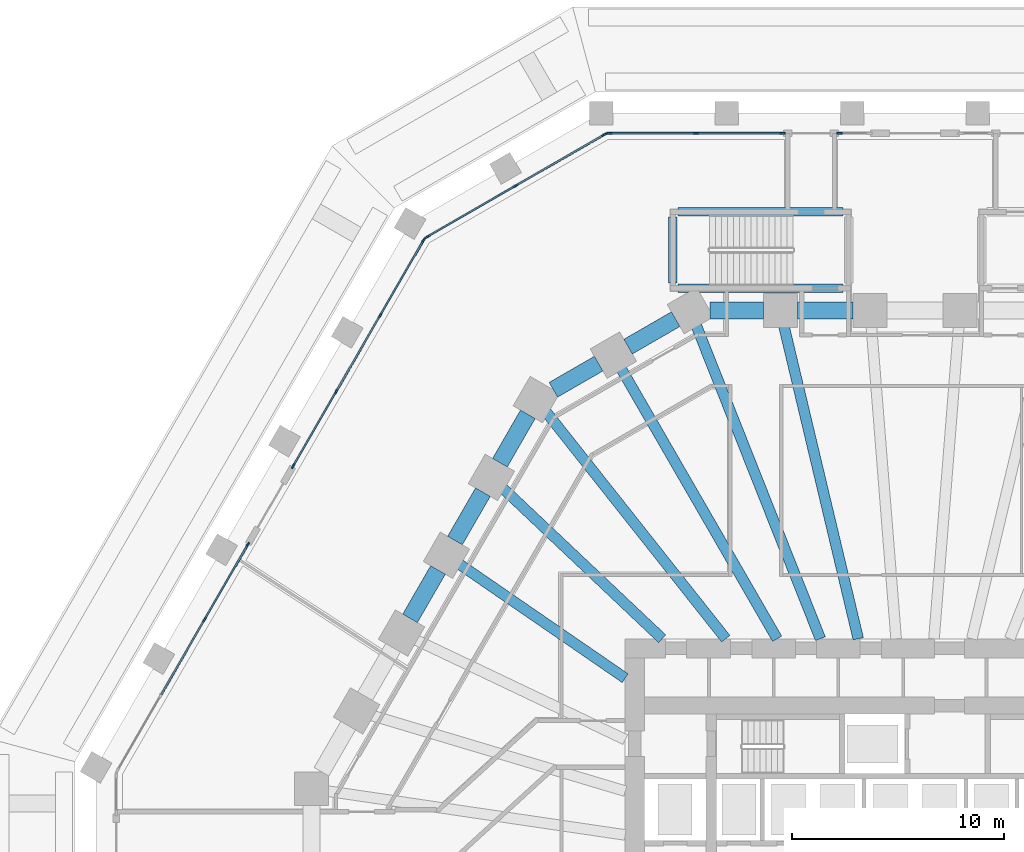
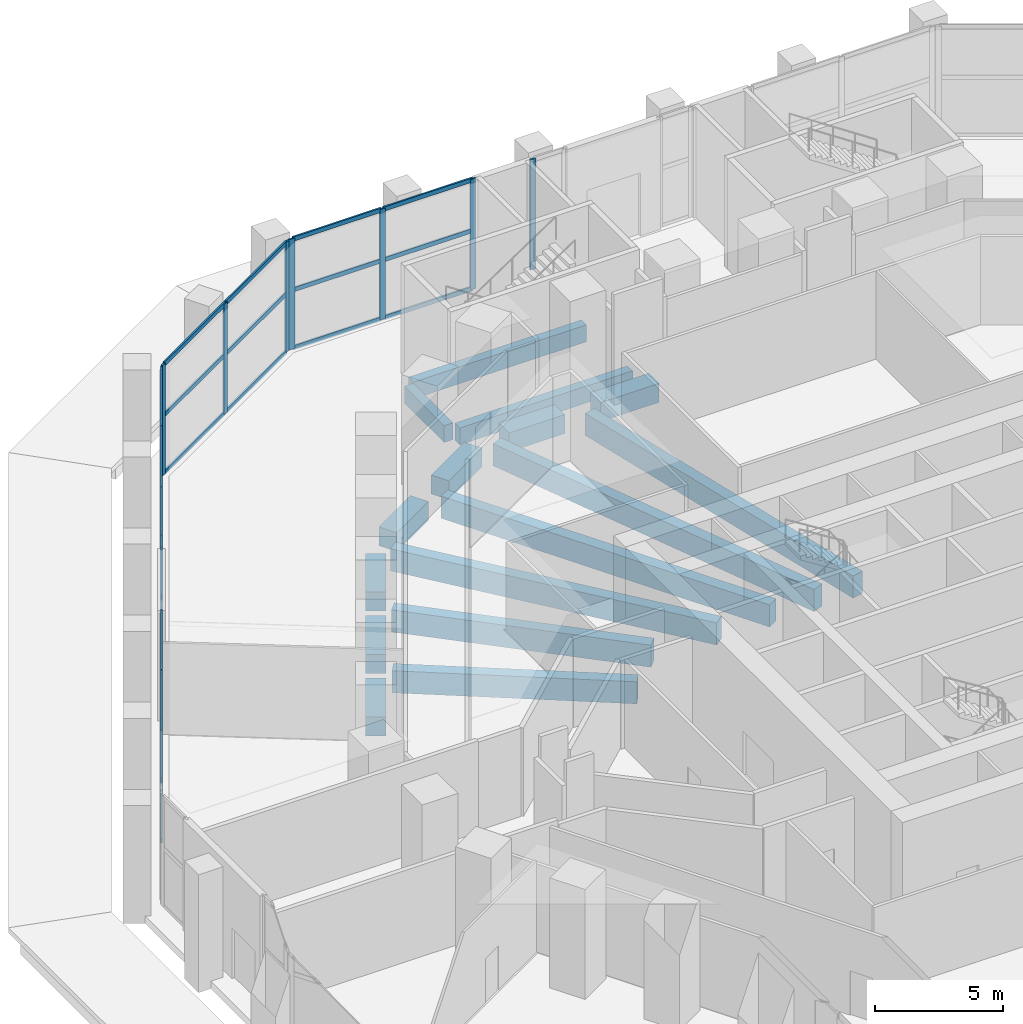
# One storey, part 8 of 44: 40 members, 16 beams, 5 elements without a shape of their own.
"""IFC4 building model written with IfcOpenShell, lengths in metres."""

from ifc_helpers import new_model, si_unit, direction, frame, origin, origin_2d, place, context, subcontext, project, spatial, rectangle, extrude, material, material_profile, profile_set, type_object, element, aggregate, save


model = new_model("IFC4")

# Units and contexts
model_context = context("Model", 3, precision=1e-05, world=origin(), true_north=direction((0.0, 1.0)))
body_context = subcontext(model_context, "Body", "Model", "MODEL_VIEW")
ifc_project = project(units=[si_unit("LENGTHUNIT", "METRE"), si_unit("AREAUNIT", "SQUARE_METRE"), si_unit("VOLUMEUNIT", "CUBIC_METRE"), si_unit("PLANEANGLEUNIT", "RADIAN"), si_unit("MASSUNIT", "GRAM", prefix="KILO")], contexts=[model_context])

# Site, building, storey
site_placement = place(None, origin())
site = spatial("IfcSite", under=ifc_project, at=site_placement, CompositionType="ELEMENT")
building_placement = place(site_placement, origin())
building = spatial("IfcBuilding", under=site, at=building_placement, Name="Frailejon Research Tower", CompositionType="ELEMENT")
storey_placement = place(building_placement, origin())
storey = spatial("IfcBuildingStorey", under=building, at=storey_placement, Name="L00", CompositionType="ELEMENT", Elevation=0.0)

# Beams
ifc_material_1 = material(Name="Concrete C60/75", Category="concrete")
ifc_material_profile_1 = material_profile(ifc_material_1, rectangle(XDim=0.5, YDim=1.050048828125, at=origin_2d()), Name="Girder 500x1050")
ifc_profile_set_1 = profile_set([ifc_material_profile_1], Name="Concrete C60/75")
beam_type_1 = type_object("IfcBeamType", Name="Girder 500x1050", PredefinedType="BEAM", material=ifc_profile_set_1)
beam_1_placement = place(storey_placement, frame((-6.1923828125, 26.0458984375, -0.875), z_axis=(0.23129352639, -0.972884013976, 0.0), x_axis=(0.972884013976, 0.23129352639, 0.0)))
element("IfcBeam", 1, at=beam_1_placement, inside=storey, type_object=beam_type_1, Name="Girder 500x1050", PredefinedType="BEAM", context=body_context, shape_type="SweptSolid", body=[
    extrude(rectangle(XDim=0.5, YDim=1.050048828125, at=origin_2d()), origin(), (0.0, 0.0, 1.0), 15.208251953125),
])
beam_2_placement = place(storey_placement, frame((-10.33740234375, 26.087646484375, -0.875), z_axis=(0.368395300595, -0.929669243602, 0.0), x_axis=(0.929669243602, 0.368395300595, 0.0)))
element("IfcBeam", 2, at=beam_2_placement, inside=storey, type_object=beam_type_1, Name="Girder 500x1050", PredefinedType="BEAM", context=body_context, shape_type="SweptSolid", body=[
    extrude(rectangle(XDim=0.5, YDim=1.050048828125, at=origin_2d()), origin(), (0.0, 0.0, 1.0), 15.960205078125),
])
beam_3_placement = place(storey_placement, frame((-13.88134765625, 24.043212890625, -0.875), z_axis=(0.500003328639, -0.866023481986, 0.0), x_axis=(0.866023481986, 0.500003328639, 0.0)))
element("IfcBeam", 3, at=beam_3_placement, inside=storey, type_object=beam_type_1, Name="Girder 500x1050", PredefinedType="BEAM", context=body_context, shape_type="SweptSolid", body=[
    extrude(rectangle(XDim=0.5, YDim=1.050048828125, at=origin_2d()), origin(), (0.0, 0.0, 1.0), 14.7724609375),
])
beam_4_placement = place(storey_placement, frame((-17.3916015625, 21.955322265625, -0.875), z_axis=(0.620924993475, -0.783869984422, 0.0), x_axis=(0.783869984422, 0.620924993475, 0.0)))
element("IfcBeam", 4, at=beam_4_placement, inside=storey, type_object=beam_type_1, Name="Girder 500x1050", PredefinedType="BEAM", context=body_context, shape_type="SweptSolid", body=[
    extrude(rectangle(XDim=0.5, YDim=1.050048828125, at=origin_2d()), origin(), (0.0, 0.0, 1.0), 13.656982421875),
])
beam_5_placement = place(storey_placement, frame((-19.460205078125, 18.3857421875, -0.875), z_axis=(0.72688803019, -0.686755991285, 0.0), x_axis=(0.686755991285, 0.72688803019, 0.0)))
element("IfcBeam", 5, at=beam_5_placement, inside=storey, type_object=beam_type_1, Name="Girder 500x1050", PredefinedType="BEAM", context=body_context, shape_type="SweptSolid", body=[
    extrude(rectangle(XDim=0.5, YDim=1.050048828125, at=origin_2d()), origin(), (0.0, 0.0, 1.0), 10.390625),
])
beam_6_placement = place(storey_placement, frame((-21.52734375, 14.8125, -0.875), z_axis=(0.823825821578, -0.566843025626, 0.0), x_axis=(0.566843025626, 0.823825821578, 0.0)))
element("IfcBeam", 6, at=beam_6_placement, inside=storey, type_object=beam_type_1, Name="Girder 500x1050", PredefinedType="BEAM", context=body_context, shape_type="SweptSolid", body=[
    extrude(rectangle(XDim=0.5, YDim=1.050048828125, at=origin_2d()), origin(), (0.0, 0.0, 1.0), 9.56201171875),
])

# Curtain wall, member
ifc_material_2 = material(Name="Aluminium curtain wall", Category="aluminium")
curtain_wall_type = type_object("IfcCurtainWallType", Name="Lobby atrium curtain wall system", PredefinedType="NOTDEFINED", material=ifc_material_2)
curtain_wall_1_placement = place(storey_placement, origin())
curtain_wall_1 = element("IfcCurtainWall", 7, at=curtain_wall_1_placement, inside=storey, type_object=curtain_wall_type, Name="Curtain wall L00", PredefinedType="NOTDEFINED")
ifc_material_3 = material(Name="Aluminium extrusion", Category="aluminium")
ifc_material_profile_2 = material_profile(ifc_material_3, rectangle(XDim=0.080078125, YDim=0.25, at=origin_2d()), Name="Lobby atrium curtain wall mullion 80x250")
ifc_profile_set_2 = profile_set([ifc_material_profile_2], Name="Aluminium extrusion")
member_type_1 = type_object("IfcMemberType", Name="Lobby atrium curtain wall mullion 80x250", PredefinedType="MULLION", material=ifc_profile_set_2)
member_1_placement = place(storey_placement, frame((-3.556884765625, 35.050048828125, 0.0), z_axis=(0.0, 0.0, 1.0), x_axis=(0.0, -1.0, 0.0)))
member_1 = element("IfcMember", 8, at=member_1_placement, type_object=member_type_1, Name="CW1-007 mullion 2", PredefinedType="MULLION", context=body_context, shape_type="SweptSolid", body=[
    extrude(rectangle(XDim=0.080078125, YDim=0.25, at=origin_2d()), origin(), (0.0, 0.0, 1.0), 5.25),
])
aggregate(curtain_wall_1, [member_1])

# Curtain wall, members
curtain_wall_2_placement = place(storey_placement, origin())
curtain_wall_2 = element("IfcCurtainWall", 9, at=curtain_wall_2_placement, inside=storey, type_object=curtain_wall_type, Name="Curtain wall L00", PredefinedType="NOTDEFINED")
member_2_placement = place(storey_placement, frame((-6.23681640625, 35.050048828125, 0.0), z_axis=(0.0, 0.0, 1.0), x_axis=(0.0, -1.0, 0.0)))
member_2 = element("IfcMember", 10, at=member_2_placement, type_object=member_type_1, Name="CW1-X03 mullion 1", PredefinedType="MULLION", context=body_context, shape_type="SweptSolid", body=[
    extrude(rectangle(XDim=0.080078125, YDim=0.25, at=origin_2d()), origin(), (0.0, 0.0, 1.0), 5.25),
])
member_3_placement = place(storey_placement, frame((-10.3134765625, 35.050048828125, 0.0), z_axis=(0.0, 0.0, 1.0), x_axis=(0.0, -1.0, 0.0)))
member_3 = element("IfcMember", 11, at=member_3_placement, type_object=member_type_1, Name="CW1-X03 mullion 2", PredefinedType="MULLION", context=body_context, shape_type="SweptSolid", body=[
    extrude(rectangle(XDim=0.080078125, YDim=0.25, at=origin_2d()), origin(), (0.0, 0.0, 1.0), 5.25),
])
member_4_placement = place(storey_placement, frame((-14.39013671875, 35.050048828125, 0.0), z_axis=(0.0, 0.0, 1.0), x_axis=(0.0, -1.0, 0.0)))
member_4 = element("IfcMember", 12, at=member_4_placement, type_object=member_type_1, Name="CW1-X03 mullion 3", PredefinedType="MULLION", context=body_context, shape_type="SweptSolid", body=[
    extrude(rectangle(XDim=0.080078125, YDim=0.25, at=origin_2d()), origin(), (0.0, 0.0, 1.0), 5.25),
])

curtain_wall_3_placement = place(storey_placement, origin())
curtain_wall_3 = element("IfcCurtainWall", 13, at=curtain_wall_3_placement, inside=storey, type_object=curtain_wall_type, Name="Curtain wall L00", PredefinedType="NOTDEFINED")
member_5_placement = place(storey_placement, frame((-14.6513671875, 34.97998046875, 0.0), z_axis=(0.0, 0.0, 1.0), x_axis=(0.499999874334, -0.866025476338, 0.0)))
member_5 = element("IfcMember", 14, at=member_5_placement, type_object=member_type_1, Name="CW1-008 mullion 1", PredefinedType="MULLION", context=body_context, shape_type="SweptSolid", body=[
    extrude(rectangle(XDim=0.080078125, YDim=0.25, at=origin_2d()), origin(), (0.0, 0.0, 1.0), 5.25),
])
member_6_placement = place(storey_placement, frame((-18.8095703125, 32.5791015625, 0.0), z_axis=(0.0, 0.0, 1.0), x_axis=(0.499999874334, -0.866025476338, 0.0)))
member_6 = element("IfcMember", 15, at=member_6_placement, type_object=member_type_1, Name="CW1-008 mullion 2", PredefinedType="MULLION", context=body_context, shape_type="SweptSolid", body=[
    extrude(rectangle(XDim=0.080078125, YDim=0.25, at=origin_2d()), origin(), (0.0, 0.0, 1.0), 5.25),
])
member_7_placement = place(storey_placement, frame((-22.968017578125, 30.178466796875, 0.0), z_axis=(0.0, 0.0, 1.0), x_axis=(0.499999874334, -0.866025476338, 0.0)))
member_7 = element("IfcMember", 16, at=member_7_placement, type_object=member_type_1, Name="CW1-008 mullion 3", PredefinedType="MULLION", context=body_context, shape_type="SweptSolid", body=[
    extrude(rectangle(XDim=0.080078125, YDim=0.25, at=origin_2d()), origin(), (0.0, 0.0, 1.0), 5.25),
])

curtain_wall_4_placement = place(storey_placement, origin())
curtain_wall_4 = element("IfcCurtainWall", 17, at=curtain_wall_4_placement, inside=storey, type_object=curtain_wall_type, Name="Curtain wall L00", PredefinedType="NOTDEFINED")
member_8_placement = place(storey_placement, frame((-23.1591796875, 29.987060546875, 0.0), z_axis=(0.0, 0.0, 1.0), x_axis=(0.866025541081, -0.499999762196, 0.0)))
member_8 = element("IfcMember", 18, at=member_8_placement, type_object=member_type_1, Name="CW1-009 mullion 1", PredefinedType="MULLION", context=body_context, shape_type="SweptSolid", body=[
    extrude(rectangle(XDim=0.080078125, YDim=0.25, at=origin_2d()), origin(), (0.0, 0.0, 1.0), 5.25),
])
member_9_placement = place(storey_placement, frame((-25.194091796875, 26.46240234375, 0.0), z_axis=(0.0, 0.0, 1.0), x_axis=(0.866025541081, -0.499999762196, 0.0)))
member_9 = element("IfcMember", 19, at=member_9_placement, type_object=member_type_1, Name="CW1-009 mullion 2", PredefinedType="MULLION", context=body_context, shape_type="SweptSolid", body=[
    extrude(rectangle(XDim=0.080078125, YDim=0.25, at=origin_2d()), origin(), (0.0, 0.0, 1.0), 5.25),
])
member_10_placement = place(storey_placement, frame((-27.249267578125, 22.903076171875, 0.0), z_axis=(0.0, 0.0, 1.0), x_axis=(0.866025541081, -0.499999762196, 0.0)))
member_10 = element("IfcMember", 20, at=member_10_placement, type_object=member_type_1, Name="CW1-009 mullion 3", PredefinedType="MULLION", context=body_context, shape_type="SweptSolid", body=[
    extrude(rectangle(XDim=0.080078125, YDim=0.25, at=origin_2d()), origin(), (0.0, 0.0, 1.0), 5.25),
])
member_11_placement = place(storey_placement, frame((-29.2841796875, 19.37841796875, 0.0), z_axis=(0.0, 0.0, 1.0), x_axis=(0.866025541081, -0.499999762196, 0.0)))
member_11 = element("IfcMember", 21, at=member_11_placement, type_object=member_type_1, Name="CW1-009 mullion 4", PredefinedType="MULLION", context=body_context, shape_type="SweptSolid", body=[
    extrude(rectangle(XDim=0.080078125, YDim=0.25, at=origin_2d()), origin(), (0.0, 0.0, 1.0), 5.25),
])

curtain_wall_5_placement = place(storey_placement, origin())
curtain_wall_5 = element("IfcCurtainWall", 22, at=curtain_wall_5_placement, inside=storey, type_object=curtain_wall_type, Name="Curtain wall L00", PredefinedType="NOTDEFINED")
member_12_placement = place(storey_placement, frame((-31.42431640625, 15.671630859375, 0.0), z_axis=(0.0, 0.0, 1.0), x_axis=(0.866025541081, -0.499999762196, 0.0)))
member_12 = element("IfcMember", 23, at=member_12_placement, type_object=member_type_1, Name="CW1-010 mullion 1", PredefinedType="MULLION", context=body_context, shape_type="SweptSolid", body=[
    extrude(rectangle(XDim=0.080078125, YDim=0.25, at=origin_2d()), origin(), (0.0, 0.0, 1.0), 5.25),
])
member_13_placement = place(storey_placement, frame((-33.459228515625, 12.14697265625, 0.0), z_axis=(0.0, 0.0, 1.0), x_axis=(0.866025541081, -0.499999762196, 0.0)))
member_13 = element("IfcMember", 24, at=member_13_placement, type_object=member_type_1, Name="CW1-010 mullion 2", PredefinedType="MULLION", context=body_context, shape_type="SweptSolid", body=[
    extrude(rectangle(XDim=0.080078125, YDim=0.25, at=origin_2d()), origin(), (0.0, 0.0, 1.0), 5.25),
])

# Member
ifc_material_4 = material(Name="Aluminium extrusion", Category="aluminium")
ifc_material_profile_3 = material_profile(ifc_material_4, rectangle(XDim=0.080078125, YDim=0.199951171875, at=origin_2d()), Name="Lobby atrium curtain wall transom 80x200")
ifc_profile_set_3 = profile_set([ifc_material_profile_3], Name="Aluminium extrusion")
member_type_2 = type_object("IfcMemberType", Name="Lobby atrium curtain wall transom 80x200", PredefinedType="USERDEFINED", material=ifc_profile_set_3)
member_14_placement = place(storey_placement, frame((-6.27685546875, 35.050048828125, 0.0400390625), z_axis=(-1.0, 0.0, 0.0), x_axis=(0.0, -1.0, 0.0)))
member_14 = element("IfcMember", 25, at=member_14_placement, type_object=member_type_2, Name="CW1-X03 transom 1.1", ObjectType="TRANSOM", PredefinedType="USERDEFINED", context=body_context, shape_type="SweptSolid", body=[
    extrude(rectangle(XDim=0.080078125, YDim=0.199951171875, at=origin_2d()), origin(), (0.0, 0.0, 1.0), 3.99658203125),
])

member_15_placement = place(storey_placement, frame((-6.27685546875, 35.050048828125, 2.800048828125), z_axis=(-1.0, 0.0, 0.0), x_axis=(0.0, -1.0, 0.0)))
member_15 = element("IfcMember", 26, at=member_15_placement, type_object=member_type_2, Name="CW1-X03 transom 1.2", ObjectType="TRANSOM", PredefinedType="USERDEFINED", context=body_context, shape_type="SweptSolid", body=[
    extrude(rectangle(XDim=0.080078125, YDim=0.199951171875, at=origin_2d()), origin(), (0.0, 0.0, 1.0), 3.99658203125),
])

member_16_placement = place(storey_placement, frame((-6.27685546875, 35.050048828125, 5.2099609375), z_axis=(-1.0, 0.0, 0.0), x_axis=(0.0, -1.0, 0.0)))
member_16 = element("IfcMember", 27, at=member_16_placement, type_object=member_type_2, Name="CW1-X03 transom 1.3", ObjectType="TRANSOM", PredefinedType="USERDEFINED", context=body_context, shape_type="SweptSolid", body=[
    extrude(rectangle(XDim=0.080078125, YDim=0.199951171875, at=origin_2d()), origin(), (0.0, 0.0, 1.0), 3.99658203125),
])

member_17_placement = place(storey_placement, frame((-10.353515625, 35.050048828125, 0.0400390625), z_axis=(-1.0, 0.0, 0.0), x_axis=(0.0, -1.0, 0.0)))
member_17 = element("IfcMember", 28, at=member_17_placement, type_object=member_type_2, Name="CW1-X03 transom 2.1", ObjectType="TRANSOM", PredefinedType="USERDEFINED", context=body_context, shape_type="SweptSolid", body=[
    extrude(rectangle(XDim=0.080078125, YDim=0.199951171875, at=origin_2d()), origin(), (0.0, 0.0, 1.0), 3.99658203125),
])

member_18_placement = place(storey_placement, frame((-10.353515625, 35.050048828125, 2.800048828125), z_axis=(-1.0, 0.0, 0.0), x_axis=(0.0, -1.0, 0.0)))
member_18 = element("IfcMember", 29, at=member_18_placement, type_object=member_type_2, Name="CW1-X03 transom 2.2", ObjectType="TRANSOM", PredefinedType="USERDEFINED", context=body_context, shape_type="SweptSolid", body=[
    extrude(rectangle(XDim=0.080078125, YDim=0.199951171875, at=origin_2d()), origin(), (0.0, 0.0, 1.0), 3.99658203125),
])

member_19_placement = place(storey_placement, frame((-10.353515625, 35.050048828125, 5.2099609375), z_axis=(-1.0, 0.0, 0.0), x_axis=(0.0, -1.0, 0.0)))
member_19 = element("IfcMember", 30, at=member_19_placement, type_object=member_type_2, Name="CW1-X03 transom 2.3", ObjectType="TRANSOM", PredefinedType="USERDEFINED", context=body_context, shape_type="SweptSolid", body=[
    extrude(rectangle(XDim=0.080078125, YDim=0.199951171875, at=origin_2d()), origin(), (0.0, 0.0, 1.0), 3.99658203125),
])

aggregate(curtain_wall_2, [member_2, member_3, member_4, member_14, member_15, member_16, member_17, member_18, member_19])

member_20_placement = place(storey_placement, frame((-14.68603515625, 34.9599609375, 0.0400390625), z_axis=(-0.866013364391, -0.500020852261, 0.0), x_axis=(0.500020852261, -0.866013364391, 0.0)))
member_20 = element("IfcMember", 31, at=member_20_placement, type_object=member_type_2, Name="CW1-008 transom 1.1", ObjectType="TRANSOM", PredefinedType="USERDEFINED", context=body_context, shape_type="SweptSolid", body=[
    extrude(rectangle(XDim=0.080078125, YDim=0.199951171875, at=origin_2d()), origin(), (0.0, 0.0, 1.0), 4.721435546875),
])

member_21_placement = place(storey_placement, frame((-14.68603515625, 34.9599609375, 2.800048828125), z_axis=(-0.866013364391, -0.500020852261, 0.0), x_axis=(0.500020852261, -0.866013364391, 0.0)))
member_21 = element("IfcMember", 32, at=member_21_placement, type_object=member_type_2, Name="CW1-008 transom 1.2", ObjectType="TRANSOM", PredefinedType="USERDEFINED", context=body_context, shape_type="SweptSolid", body=[
    extrude(rectangle(XDim=0.080078125, YDim=0.199951171875, at=origin_2d()), origin(), (0.0, 0.0, 1.0), 4.721435546875),
])

member_22_placement = place(storey_placement, frame((-14.68603515625, 34.9599609375, 5.2099609375), z_axis=(-0.866013364391, -0.500020852261, 0.0), x_axis=(0.500020852261, -0.866013364391, 0.0)))
member_22 = element("IfcMember", 33, at=member_22_placement, type_object=member_type_2, Name="CW1-008 transom 1.3", ObjectType="TRANSOM", PredefinedType="USERDEFINED", context=body_context, shape_type="SweptSolid", body=[
    extrude(rectangle(XDim=0.080078125, YDim=0.199951171875, at=origin_2d()), origin(), (0.0, 0.0, 1.0), 4.721435546875),
])

member_23_placement = place(storey_placement, frame((-18.84423828125, 32.55908203125, 0.0400390625), z_axis=(-0.866048680801, -0.499959680857, 0.0), x_axis=(0.499959680857, -0.866048680801, 0.0)))
member_23 = element("IfcMember", 34, at=member_23_placement, type_object=member_type_2, Name="CW1-008 transom 2.1", ObjectType="TRANSOM", PredefinedType="USERDEFINED", context=body_context, shape_type="SweptSolid", body=[
    extrude(rectangle(XDim=0.080078125, YDim=0.199951171875, at=origin_2d()), origin(), (0.0, 0.0, 1.0), 4.7216796875),
])

member_24_placement = place(storey_placement, frame((-18.84423828125, 32.55908203125, 2.800048828125), z_axis=(-0.866048680801, -0.499959680857, 0.0), x_axis=(0.499959680857, -0.866048680801, 0.0)))
member_24 = element("IfcMember", 35, at=member_24_placement, type_object=member_type_2, Name="CW1-008 transom 2.2", ObjectType="TRANSOM", PredefinedType="USERDEFINED", context=body_context, shape_type="SweptSolid", body=[
    extrude(rectangle(XDim=0.080078125, YDim=0.199951171875, at=origin_2d()), origin(), (0.0, 0.0, 1.0), 4.7216796875),
])

member_25_placement = place(storey_placement, frame((-18.84423828125, 32.55908203125, 5.2099609375), z_axis=(-0.866048680801, -0.499959680857, 0.0), x_axis=(0.499959680857, -0.866048680801, 0.0)))
member_25 = element("IfcMember", 36, at=member_25_placement, type_object=member_type_2, Name="CW1-008 transom 2.3", ObjectType="TRANSOM", PredefinedType="USERDEFINED", context=body_context, shape_type="SweptSolid", body=[
    extrude(rectangle(XDim=0.080078125, YDim=0.199951171875, at=origin_2d()), origin(), (0.0, 0.0, 1.0), 4.7216796875),
])

aggregate(curtain_wall_3, [member_5, member_6, member_7, member_20, member_21, member_22, member_23, member_24, member_25])

member_26_placement = place(storey_placement, frame((-23.17919921875, 29.95263671875, 0.0400390625), z_axis=(-0.500008456887, -0.866020521143, 0.0), x_axis=(0.866020521143, -0.500008456887, 0.0)))
member_26 = element("IfcMember", 37, at=member_26_placement, type_object=member_type_2, Name="CW1-009 transom 1.1", ObjectType="TRANSOM", PredefinedType="USERDEFINED", context=body_context, shape_type="SweptSolid", body=[
    extrude(rectangle(XDim=0.080078125, YDim=0.199951171875, at=origin_2d()), origin(), (0.0, 0.0, 1.0), 3.990234375),
])

member_27_placement = place(storey_placement, frame((-23.17919921875, 29.95263671875, 2.800048828125), z_axis=(-0.500008456887, -0.866020521143, 0.0), x_axis=(0.866020521143, -0.500008456887, 0.0)))
member_27 = element("IfcMember", 38, at=member_27_placement, type_object=member_type_2, Name="CW1-009 transom 1.2", ObjectType="TRANSOM", PredefinedType="USERDEFINED", context=body_context, shape_type="SweptSolid", body=[
    extrude(rectangle(XDim=0.080078125, YDim=0.199951171875, at=origin_2d()), origin(), (0.0, 0.0, 1.0), 3.990234375),
])

member_28_placement = place(storey_placement, frame((-23.17919921875, 29.95263671875, 5.2099609375), z_axis=(-0.500008456887, -0.866020521143, 0.0), x_axis=(0.866020521143, -0.500008456887, 0.0)))
member_28 = element("IfcMember", 39, at=member_28_placement, type_object=member_type_2, Name="CW1-009 transom 1.3", ObjectType="TRANSOM", PredefinedType="USERDEFINED", context=body_context, shape_type="SweptSolid", body=[
    extrude(rectangle(XDim=0.080078125, YDim=0.199951171875, at=origin_2d()), origin(), (0.0, 0.0, 1.0), 3.990234375),
])

member_29_placement = place(storey_placement, frame((-25.214111328125, 26.427734375, 0.0400390625), z_axis=(-0.500035344125, -0.866004996883, 0.0), x_axis=(0.866004996883, -0.500035344125, 0.0)))
member_29 = element("IfcMember", 40, at=member_29_placement, type_object=member_type_2, Name="CW1-009 transom 2.1", ObjectType="TRANSOM", PredefinedType="USERDEFINED", context=body_context, shape_type="SweptSolid", body=[
    extrude(rectangle(XDim=0.080078125, YDim=0.199951171875, at=origin_2d()), origin(), (0.0, 0.0, 1.0), 4.030029296875),
])

member_30_placement = place(storey_placement, frame((-25.214111328125, 26.427734375, 2.800048828125), z_axis=(-0.500035344125, -0.866004996883, 0.0), x_axis=(0.866004996883, -0.500035344125, 0.0)))
member_30 = element("IfcMember", 41, at=member_30_placement, type_object=member_type_2, Name="CW1-009 transom 2.2", ObjectType="TRANSOM", PredefinedType="USERDEFINED", context=body_context, shape_type="SweptSolid", body=[
    extrude(rectangle(XDim=0.080078125, YDim=0.199951171875, at=origin_2d()), origin(), (0.0, 0.0, 1.0), 4.030029296875),
])

member_31_placement = place(storey_placement, frame((-25.214111328125, 26.427734375, 5.2099609375), z_axis=(-0.500035344125, -0.866004996883, 0.0), x_axis=(0.866004996883, -0.500035344125, 0.0)))
member_31 = element("IfcMember", 42, at=member_31_placement, type_object=member_type_2, Name="CW1-009 transom 2.3", ObjectType="TRANSOM", PredefinedType="USERDEFINED", context=body_context, shape_type="SweptSolid", body=[
    extrude(rectangle(XDim=0.080078125, YDim=0.199951171875, at=origin_2d()), origin(), (0.0, 0.0, 1.0), 4.030029296875),
])

member_32_placement = place(storey_placement, frame((-27.269287109375, 22.868408203125, 0.0400390625), z_axis=(-0.499989060909, -0.866031719379, 0.0), x_axis=(0.866031719379, -0.499989060909, 0.0)))
member_32 = element("IfcMember", 43, at=member_32_placement, type_object=member_type_2, Name="CW1-009 transom 3.1", ObjectType="TRANSOM", PredefinedType="USERDEFINED", context=body_context, shape_type="SweptSolid", body=[
    extrude(rectangle(XDim=0.080078125, YDim=0.199951171875, at=origin_2d()), origin(), (0.0, 0.0, 1.0), 3.98974609375),
])

member_33_placement = place(storey_placement, frame((-27.269287109375, 22.868408203125, 2.800048828125), z_axis=(-0.499989060909, -0.866031719379, 0.0), x_axis=(0.866031719379, -0.499989060909, 0.0)))
member_33 = element("IfcMember", 44, at=member_33_placement, type_object=member_type_2, Name="CW1-009 transom 3.2", ObjectType="TRANSOM", PredefinedType="USERDEFINED", context=body_context, shape_type="SweptSolid", body=[
    extrude(rectangle(XDim=0.080078125, YDim=0.199951171875, at=origin_2d()), origin(), (0.0, 0.0, 1.0), 3.98974609375),
])

member_34_placement = place(storey_placement, frame((-27.269287109375, 22.868408203125, 5.2099609375), z_axis=(-0.499989060909, -0.866031719379, 0.0), x_axis=(0.866031719379, -0.499989060909, 0.0)))
member_34 = element("IfcMember", 45, at=member_34_placement, type_object=member_type_2, Name="CW1-009 transom 3.3", ObjectType="TRANSOM", PredefinedType="USERDEFINED", context=body_context, shape_type="SweptSolid", body=[
    extrude(rectangle(XDim=0.080078125, YDim=0.199951171875, at=origin_2d()), origin(), (0.0, 0.0, 1.0), 3.98974609375),
])

aggregate(curtain_wall_4, [member_8, member_9, member_10, member_11, member_26, member_27, member_28, member_29, member_30, member_31, member_32, member_33, member_34])

member_35_placement = place(storey_placement, frame((-31.444091796875, 15.636962890625, 0.0400390625), z_axis=(-0.500034952484, -0.866005223018, 0.0), x_axis=(0.866005223018, -0.500034952484, 0.0)))
member_35 = element("IfcMember", 46, at=member_35_placement, type_object=member_type_2, Name="CW1-010 transom 1.1", ObjectType="TRANSOM", PredefinedType="USERDEFINED", context=body_context, shape_type="SweptSolid", body=[
    extrude(rectangle(XDim=0.080078125, YDim=0.199951171875, at=origin_2d()), origin(), (0.0, 0.0, 1.0), 3.989990234375),
])

member_36_placement = place(storey_placement, frame((-31.444091796875, 15.636962890625, 2.800048828125), z_axis=(-0.500034952484, -0.866005223018, 0.0), x_axis=(0.866005223018, -0.500034952484, 0.0)))
member_36 = element("IfcMember", 47, at=member_36_placement, type_object=member_type_2, Name="CW1-010 transom 1.2", ObjectType="TRANSOM", PredefinedType="USERDEFINED", context=body_context, shape_type="SweptSolid", body=[
    extrude(rectangle(XDim=0.080078125, YDim=0.199951171875, at=origin_2d()), origin(), (0.0, 0.0, 1.0), 3.989990234375),
])

member_37_placement = place(storey_placement, frame((-31.444091796875, 15.636962890625, 5.2099609375), z_axis=(-0.500034952484, -0.866005223018, 0.0), x_axis=(0.866005223018, -0.500034952484, 0.0)))
member_37 = element("IfcMember", 48, at=member_37_placement, type_object=member_type_2, Name="CW1-010 transom 1.3", ObjectType="TRANSOM", PredefinedType="USERDEFINED", context=body_context, shape_type="SweptSolid", body=[
    extrude(rectangle(XDim=0.080078125, YDim=0.199951171875, at=origin_2d()), origin(), (0.0, 0.0, 1.0), 3.989990234375),
])

member_38_placement = place(storey_placement, frame((-33.479248046875, 12.1123046875, 0.0400390625), z_axis=(-0.499989908473, -0.866031230052, 0.0), x_axis=(0.866031230052, -0.499989908473, 0.0)))
member_38 = element("IfcMember", 49, at=member_38_placement, type_object=member_type_2, Name="CW1-010 transom 2.1", ObjectType="TRANSOM", PredefinedType="USERDEFINED", context=body_context, shape_type="SweptSolid", body=[
    extrude(rectangle(XDim=0.080078125, YDim=0.199951171875, at=origin_2d()), origin(), (0.0, 0.0, 1.0), 4.02978515625),
])

member_39_placement = place(storey_placement, frame((-33.479248046875, 12.1123046875, 2.800048828125), z_axis=(-0.499989908473, -0.866031230052, 0.0), x_axis=(0.866031230052, -0.499989908473, 0.0)))
member_39 = element("IfcMember", 50, at=member_39_placement, type_object=member_type_2, Name="CW1-010 transom 2.2", ObjectType="TRANSOM", PredefinedType="USERDEFINED", context=body_context, shape_type="SweptSolid", body=[
    extrude(rectangle(XDim=0.080078125, YDim=0.199951171875, at=origin_2d()), origin(), (0.0, 0.0, 1.0), 4.02978515625),
])

member_40_placement = place(storey_placement, frame((-33.479248046875, 12.1123046875, 5.2099609375), z_axis=(-0.499989908473, -0.866031230052, 0.0), x_axis=(0.866031230052, -0.499989908473, 0.0)))
member_40 = element("IfcMember", 51, at=member_40_placement, type_object=member_type_2, Name="CW1-010 transom 2.3", ObjectType="TRANSOM", PredefinedType="USERDEFINED", context=body_context, shape_type="SweptSolid", body=[
    extrude(rectangle(XDim=0.080078125, YDim=0.199951171875, at=origin_2d()), origin(), (0.0, 0.0, 1.0), 4.02978515625),
])

aggregate(curtain_wall_5, [member_12, member_13, member_35, member_36, member_37, member_38, member_39, member_40])

# Beams
ifc_material_5 = material(Name="Concrete C60/75", Category="concrete")
ifc_material_profile_4 = material_profile(ifc_material_5, rectangle(XDim=0.800048828125, YDim=0.89990234375, at=origin_2d()), Name="Podium ring beam")
ifc_profile_set_4 = profile_set([ifc_material_profile_4], Name="Concrete C60/75")
beam_type_2 = type_object("IfcBeamType", Name="Podium ring beam", PredefinedType="BEAM", material=ifc_profile_set_4)
beam_7_placement = place(storey_placement, frame((-2.916015625, 26.699951171875, -0.800048828125), z_axis=(-1.0, 0.0, 0.0), x_axis=(0.0, -1.0, 0.0)))
element("IfcBeam", 52, at=beam_7_placement, inside=storey, type_object=beam_type_2, Name="Podium ring beam", PredefinedType="BEAM", context=body_context, shape_type="SweptSolid", body=[
    extrude(rectangle(XDim=0.800048828125, YDim=0.89990234375, at=origin_2d()), origin(), (0.0, 0.0, 1.0), 2.6318359375),
])
beam_8_placement = place(storey_placement, frame((-7.14794921875, 26.699951171875, -0.800048828125), z_axis=(-1.0, 0.0, 0.0), x_axis=(0.0, -1.0, 0.0)))
element("IfcBeam", 53, at=beam_8_placement, inside=storey, type_object=beam_type_2, Name="Podium ring beam", PredefinedType="BEAM", context=body_context, shape_type="SweptSolid", body=[
    extrude(rectangle(XDim=0.800048828125, YDim=0.89990234375, at=origin_2d()), origin(), (0.0, 0.0, 1.0), 2.508056640625),
])
beam_9_placement = place(storey_placement, frame((-11.272705078125, 26.300048828125, -0.800048828125), z_axis=(-0.866004899711, -0.500035512416, 0.0), x_axis=(0.500035512416, -0.866004899711, 0.0)))
element("IfcBeam", 54, at=beam_9_placement, inside=storey, type_object=beam_type_2, Name="Podium ring beam", PredefinedType="BEAM", context=body_context, shape_type="SweptSolid", body=[
    extrude(rectangle(XDim=0.800048828125, YDim=0.89990234375, at=origin_2d()), origin(), (0.0, 0.0, 1.0), 2.587646484375),
])
beam_10_placement = place(storey_placement, frame((-14.899169921875, 24.206298828125, -0.800048828125), z_axis=(-0.86602717807, -0.499996926835, 0.0), x_axis=(0.499996926835, -0.86602717807, 0.0)))
element("IfcBeam", 55, at=beam_10_placement, inside=storey, type_object=beam_type_2, Name="Podium ring beam", PredefinedType="BEAM", context=body_context, shape_type="SweptSolid", body=[
    extrude(rectangle(XDim=0.800048828125, YDim=0.89990234375, at=origin_2d()), origin(), (0.0, 0.0, 1.0), 2.4638671875),
])
beam_11_placement = place(storey_placement, frame((-18.23291015625, 21.819580078125, -0.800048828125), z_axis=(-0.499990112884, -0.866031112038, 0.0), x_axis=(0.866031112038, -0.499990112884, 0.0)))
element("IfcBeam", 56, at=beam_11_placement, inside=storey, type_object=beam_type_2, Name="Podium ring beam", PredefinedType="BEAM", context=body_context, shape_type="SweptSolid", body=[
    extrude(rectangle(XDim=0.800048828125, YDim=0.89990234375, at=origin_2d()), origin(), (0.0, 0.0, 1.0), 2.6318359375),
])
beam_12_placement = place(storey_placement, frame((-20.348876953125, 18.15478515625, -0.800048828125), z_axis=(-0.499949948743, -0.866054298963, 0.0), x_axis=(0.866054298963, -0.499949948743, 0.0)))
element("IfcBeam", 57, at=beam_12_placement, inside=storey, type_object=beam_type_2, Name="Podium ring beam", PredefinedType="BEAM", context=body_context, shape_type="SweptSolid", body=[
    extrude(rectangle(XDim=0.800048828125, YDim=0.89990234375, at=origin_2d()), origin(), (0.0, 0.0, 1.0), 2.632080078125),
])
beam_13_placement = place(storey_placement, frame((-22.46484375, 14.48974609375, -0.800048828125), z_axis=(-0.500019514865, -0.866014136579, 0.0), x_axis=(0.866014136579, -0.500019514865, 0.0)))
element("IfcBeam", 58, at=beam_13_placement, inside=storey, type_object=beam_type_2, Name="Podium ring beam", PredefinedType="BEAM", context=body_context, shape_type="SweptSolid", body=[
    extrude(rectangle(XDim=0.800048828125, YDim=0.89990234375, at=origin_2d()), origin(), (0.0, 0.0, 1.0), 2.63232421875),
])
ifc_material_6 = material(Name="Concrete C60/75", Category="concrete")
ifc_material_profile_5 = material_profile(ifc_material_6, rectangle(XDim=0.39990234375, YDim=0.800048828125, at=origin_2d()), Name="Stair box transfer beam 400x800")
ifc_profile_set_5 = profile_set([ifc_material_profile_5], Name="Concrete C60/75")
beam_type_3 = type_object("IfcBeamType", Name="Stair box transfer beam 400x800", PredefinedType="BEAM", material=ifc_profile_set_5)
beam_14_placement = place(storey_placement, frame((-3.382080078125, 27.75, -0.75), z_axis=(-1.0, 0.0, 0.0), x_axis=(0.0, -1.0, 0.0)))
element("IfcBeam", 59, at=beam_14_placement, inside=storey, type_object=beam_type_3, Name="PS1 box transfer beam 1", PredefinedType="BEAM", context=body_context, shape_type="SweptSolid", body=[
    extrude(rectangle(XDim=0.39990234375, YDim=0.800048828125, at=origin_2d()), origin(), (0.0, 0.0, 1.0), 7.769775390625),
])
beam_15_placement = place(storey_placement, frame((-11.40185546875, 28.0, -0.75), z_axis=(0.0, 1.0, 0.0), x_axis=(-1.0, 0.0, 0.0)))
element("IfcBeam", 60, at=beam_15_placement, inside=storey, type_object=beam_type_3, Name="PS1 box transfer beam 2", PredefinedType="BEAM", context=body_context, shape_type="SweptSolid", body=[
    extrude(rectangle(XDim=0.39990234375, YDim=0.800048828125, at=origin_2d()), origin(), (0.0, 0.0, 1.0), 3.10009765625),
])
beam_16_placement = place(storey_placement, frame((-11.15185546875, 31.35009765625, -0.75), z_axis=(1.0, 0.0, 0.0), x_axis=(0.0, 1.0, 0.0)))
element("IfcBeam", 61, at=beam_16_placement, inside=storey, type_object=beam_type_3, Name="PS1 box transfer beam 3", PredefinedType="BEAM", context=body_context, shape_type="SweptSolid", body=[
    extrude(rectangle(XDim=0.39990234375, YDim=0.800048828125, at=origin_2d()), origin(), (0.0, 0.0, 1.0), 7.769775390625),
])

save(model, "model.ifc")
